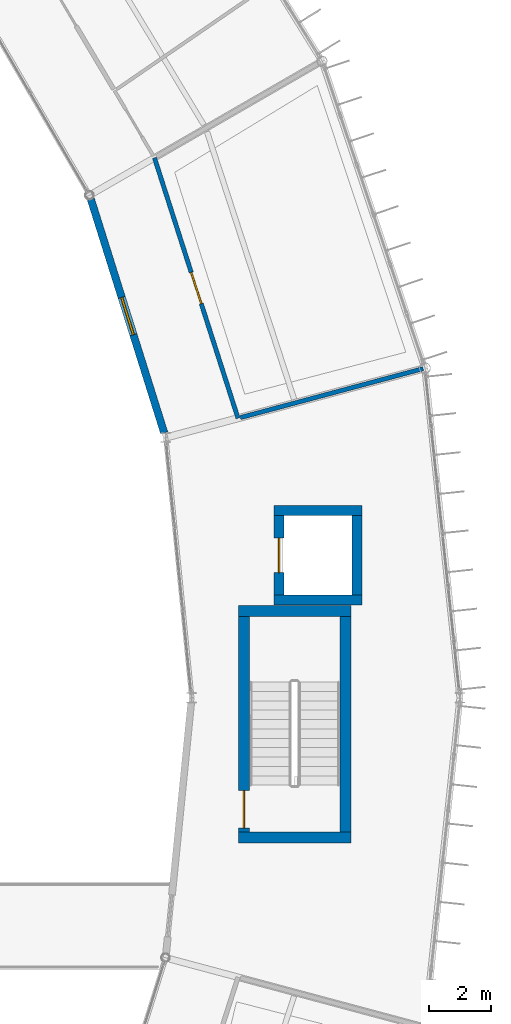
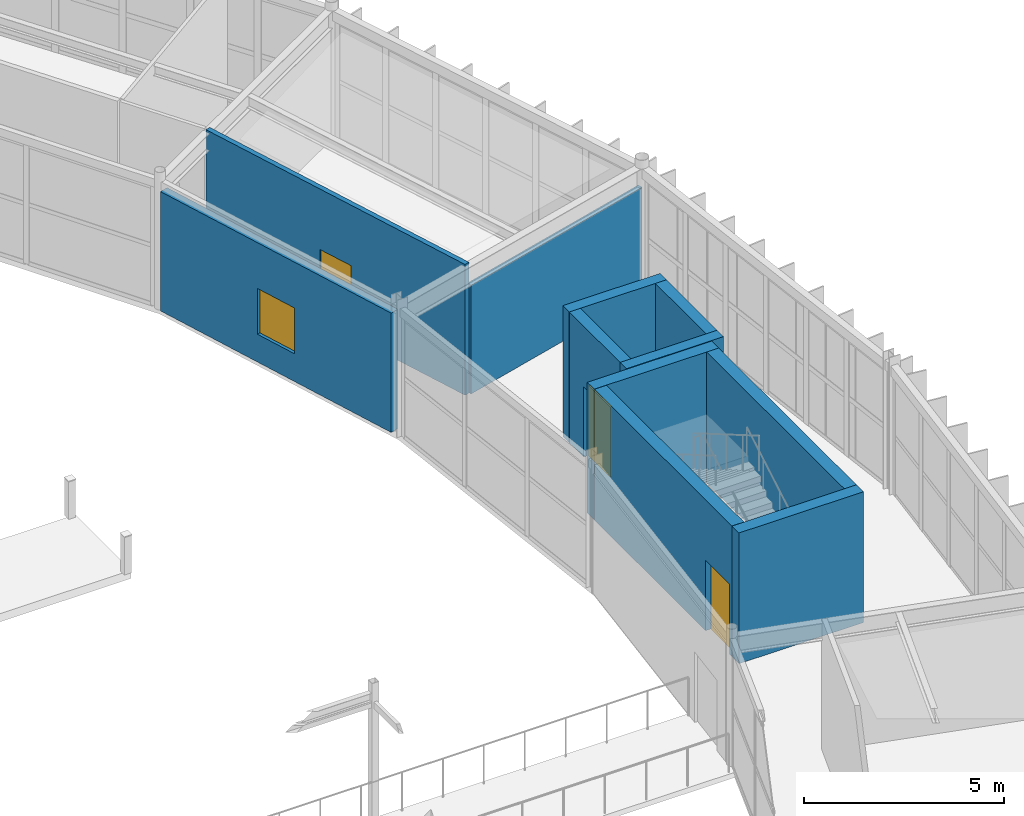
# One storey, part 126 of 147: 11 walls, 3 doors, 1 window, 4 openings.
"""IFC4 building model written with IfcOpenShell, lengths in metres."""

from ifc_helpers import new_model, si_unit, direction, frame, frame_2d, origin, place, context, subcontext, project, spatial, rectangle, extrude, material, layer, layer_set, type_object, element, fill, save


model = new_model("IFC4")

# Units and contexts
model_context = context("Model", 3, precision=1e-05, world=origin(), true_north=direction((0.0, 1.0)))
body_context = subcontext(model_context, "Body", "Model", "MODEL_VIEW")
ifc_project = project(units=[si_unit("LENGTHUNIT", "METRE"), si_unit("AREAUNIT", "SQUARE_METRE"), si_unit("VOLUMEUNIT", "CUBIC_METRE"), si_unit("PLANEANGLEUNIT", "RADIAN"), si_unit("MASSUNIT", "GRAM", prefix="KILO")], contexts=[model_context])

# Site, building, storey
site_placement = place(None, origin())
site = spatial("IfcSite", under=ifc_project, at=site_placement, CompositionType="ELEMENT")
building_placement = place(site_placement, origin())
building = spatial("IfcBuilding", under=site, at=building_placement, Name="Karori Crest Natural Sciences Institute", CompositionType="ELEMENT")
storey_placement = place(building_placement, frame((0.0, 0.0, 9.10009765625)))
storey = spatial("IfcBuildingStorey", under=building, at=storey_placement, Name="L02", CompositionType="ELEMENT", Elevation=9.10009765625)

# Walls
ifc_material_1 = material(Name="Concrete 50 MPa", Category="concrete")
ifc_layer_1 = layer(ifc_material_1, 0.35009765625, Name="Concrete 50 MPa")
ifc_layer_set_1 = layer_set([ifc_layer_1], Name="Concrete 50 MPa")
wall_type_1 = type_object("IfcWallType", Name="IWT-02", PredefinedType="SHEAR", material=ifc_layer_set_1)
for number, where, z_axis, x_axis, name in (
    (1, (92.300048828125, 45.425048828125, 0.0), (0.0, 0.0, 1.0), (1.0, 0.0, 0.0), "Shear wall IW-0013"),
    (2, (92.300048828125, 52.675048828125, 0.0), (0.0, 0.0, 1.0), (1.0, 0.0, 0.0), "Shear wall IW-0014"),
):
    element("IfcWall", number, at=place(storey_placement, frame(where, z_axis=z_axis, x_axis=x_axis)), inside=storey, type_object=wall_type_1, Name=name, PredefinedType="SHEAR", context=body_context, shape_type="SweptSolid", body=[
        extrude(rectangle(XDim=3.599853515625, YDim=0.35009765625, at=frame_2d((1.7998046875, 0.0))), origin(), (0.0, 0.0, 1.0), 4.0),
    ])

# Wall, opening, door
wall_1_placement = place(storey_placement, frame((92.47509765625, 45.60205078125, 0.0), z_axis=(0.0, 0.0, 1.0), x_axis=(0.0, 1.0, 0.0)))
wall_1 = element("IfcWall", 3, at=wall_1_placement, inside=storey, type_object=wall_type_1, Name="Shear wall IW-0015", PredefinedType="SHEAR", context=body_context, shape_type="SweptSolid", body=[
    extrude(rectangle(XDim=6.89599609375, YDim=0.35009765625, at=frame_2d((3.447998046875, 0.0))), origin(), (0.0, 0.0, 1.0), 4.0),
])
opening_1_placement = place(wall_1_placement, frame((0.1201171875, 0.0, 0.0)))
opening_1 = element("IfcOpeningElement", 4, at=opening_1_placement, cuts=wall_1, Name="Opening ID-0004", PredefinedType="OPENING", context=body_context, shape_type="SweptSolid", body=[
    extrude(rectangle(XDim=1.199951171875, YDim=2.14990234375, at=frame_2d((0.60009765625, 1.074951171875))), frame((0.0, 0.18505859375, 0.0), z_axis=(0.0, -1.0, 0.0), x_axis=(1.0, 0.0, 0.0)), (0.0, 0.0, 1.0), 0.3701171875),
])
ifc_material_2 = material(Name="Stainless steel 316 and fire-rated timber", Category="steel")
door_type_1 = type_object("IfcDoorType", Name="IDT-01", OperationType="NOTDEFINED", PredefinedType="DOOR", material=ifc_material_2)
door_1_placement = place(opening_1_placement, origin())
door_1 = element("IfcDoor", 5, at=door_1_placement, inside=storey, type_object=door_type_1, Name="Stair ST-01 fire door ID-0004", OperationType="SINGLE_SWING_RIGHT", OverallHeight=2.14990234375, OverallWidth=1.199951171875, PredefinedType="DOOR", context=body_context, shape_type="SweptSolid", body=[
    extrude(rectangle(XDim=1.199951171875, YDim=2.14990234375, at=frame_2d((0.60009765625, 1.074951171875))), frame((0.0, 0.02490234375, 0.0), z_axis=(0.0, -1.0, 0.0), x_axis=(1.0, 0.0, 0.0)), (0.0, 0.0, 1.0), 0.050048828125),
])
fill(opening_1, door_1)

# Walls
wall_2_placement = place(storey_placement, frame((95.72509765625, 45.60205078125, 0.0), z_axis=(0.0, 0.0, 1.0), x_axis=(0.0, 1.0, 0.0)))
element("IfcWall", 6, at=wall_2_placement, inside=storey, type_object=wall_type_1, Name="Shear wall IW-0016", PredefinedType="SHEAR", context=body_context, shape_type="SweptSolid", body=[
    extrude(rectangle(XDim=6.89599609375, YDim=0.35009765625, at=frame_2d((3.447998046875, 0.0))), origin(), (0.0, 0.0, 1.0), 4.0),
])
ifc_layer_2 = layer(ifc_material_1, 0.320068359375, Name="Concrete 50 MPa")
ifc_layer_set_2 = layer_set([ifc_layer_2], Name="Concrete 50 MPa")
wall_type_2 = type_object("IfcWallType", Name="IWT-03", PredefinedType="SHEAR", material=ifc_layer_set_2)
for number, where, z_axis, x_axis, name in (
    (7, (93.445068359375, 53.030029296875, 0.0), (0.0, 0.0, 1.0), (1.0, 0.0, 0.0), "Shear wall IW-0413"),
    (8, (93.445068359375, 55.89501953125, 0.0), (0.0, 0.0, 1.0), (1.0, 0.0, 0.0), "Shear wall IW-0414"),
):
    element("IfcWall", number, at=place(storey_placement, frame(where, z_axis=z_axis, x_axis=x_axis)), inside=storey, type_object=wall_type_2, Name=name, PredefinedType="SHEAR", context=body_context, shape_type="SweptSolid", body=[
        extrude(rectangle(XDim=2.809814453125, YDim=0.320068359375, at=frame_2d((1.40478515625, 0.0))), origin(), (0.0, 0.0, 1.0), 4.0),
    ])

# Wall, opening, door
wall_3_placement = place(storey_placement, frame((93.60498046875, 53.19189453125, 0.0), z_axis=(0.0, 0.0, 1.0), x_axis=(0.0, 1.0, 0.0)))
wall_3 = element("IfcWall", 9, at=wall_3_placement, inside=storey, type_object=wall_type_2, Name="Shear wall IW-0415", PredefinedType="SHEAR", context=body_context, shape_type="SweptSolid", body=[
    extrude(rectangle(XDim=2.541015625, YDim=0.320068359375, at=frame_2d((1.2705078125, 0.0))), origin(), (0.0, 0.0, 1.0), 4.0),
])
opening_2_placement = place(wall_3_placement, frame((0.720458984375, 0.0, 0.0)))
opening_2 = element("IfcOpeningElement", 10, at=opening_2_placement, cuts=wall_3, Name="Opening LD-0028", PredefinedType="OPENING", context=body_context, shape_type="SweptSolid", body=[
    extrude(rectangle(XDim=1.10009765625, YDim=2.14990234375, at=frame_2d((0.550048828125, 1.074951171875))), frame((0.0, 0.169921875, 0.0), z_axis=(0.0, -1.0, 0.0), x_axis=(1.0, 0.0, 0.0)), (0.0, 0.0, 1.0), 0.340087890625),
])
door_type_2 = type_object("IfcDoorType", Name="LDT-01", OperationType="SLIDING_TO_LEFT", PredefinedType="DOOR", material=ifc_material_2)
door_2_placement = place(opening_2_placement, origin())
door_2 = element("IfcDoor", 11, at=door_2_placement, inside=storey, type_object=door_type_2, Name="Lift LP-01 landing door LD-0028", OperationType="SLIDING_TO_LEFT", OverallHeight=2.14990234375, OverallWidth=1.10009765625, PredefinedType="DOOR", context=body_context, shape_type="SweptSolid", body=[
    extrude(rectangle(XDim=1.10009765625, YDim=2.14990234375, at=frame_2d((0.550048828125, 1.074951171875))), frame((0.0, 0.02490234375, 0.0), z_axis=(0.0, -1.0, 0.0), x_axis=(1.0, 0.0, 0.0)), (0.0, 0.0, 1.0), 0.050048828125),
])
fill(opening_2, door_2)

# Wall
wall_4_placement = place(storey_placement, frame((96.094970703125, 53.19189453125, 0.0), z_axis=(0.0, 0.0, 1.0), x_axis=(0.0, 1.0, 0.0)))
element("IfcWall", 12, at=wall_4_placement, inside=storey, type_object=wall_type_2, Name="Shear wall IW-0416", PredefinedType="SHEAR", context=body_context, shape_type="SweptSolid", body=[
    extrude(rectangle(XDim=2.541015625, YDim=0.320068359375, at=frame_2d((1.2705078125, 0.0))), origin(), (0.0, 0.0, 1.0), 4.0),
])

# Wall, opening, door
ifc_material_3 = material(Name="Laboratory acoustic drywall partition")
ifc_layer_3 = layer(ifc_material_3, 0.139892578125, Name="Laboratory acoustic drywall partition")
ifc_layer_set_3 = layer_set([ifc_layer_3], Name="Laboratory acoustic drywall partition")
wall_type_3 = type_object("IfcWallType", Name="IWT-07", PredefinedType="PARTITIONING", material=ifc_layer_set_3)
wall_5_placement = place(storey_placement, frame((92.286865234375, 58.85498046875, 0.0), z_axis=(0.0, 0.0, 1.0), x_axis=(-0.30548522006, 0.952196818061, 0.0)))
wall_5 = element("IfcWall", 13, at=wall_5_placement, inside=storey, type_object=wall_type_3, Name="Partition wall IW-1249", PredefinedType="PARTITIONING", context=body_context, shape_type="SweptSolid", body=[
    extrude(rectangle(XDim=8.763916015625, YDim=0.139892578125, at=frame_2d((4.3818359375, 0.0))), origin(), (0.0, 0.0, 1.0), 4.0),
])
opening_3_placement = place(wall_5_placement, frame((3.85693359375, 0.0, 0.0)))
opening_3 = element("IfcOpeningElement", 14, at=opening_3_placement, cuts=wall_5, Name="Opening ID-0383", PredefinedType="OPENING", context=body_context, shape_type="SweptSolid", body=[
    extrude(rectangle(XDim=1.050048828125, YDim=2.14990234375, at=frame_2d((0.52490234375, 1.074951171875))), frame((0.0, 0.080078125, 0.0), z_axis=(0.0, -1.0, 0.0), x_axis=(1.0, 0.0, 0.0)), (0.0, 0.0, 1.0), 0.159912109375),
])
door_type_3 = type_object("IfcDoorType", Name="IDT-03", OperationType="NOTDEFINED", PredefinedType="DOOR", material=ifc_material_2)
door_3_placement = place(opening_3_placement, origin())
door_3 = element("IfcDoor", 15, at=door_3_placement, inside=storey, type_object=door_type_3, Name="Wet Biology Laboratory door ID-0383", OperationType="SINGLE_SWING_LEFT", OverallHeight=2.14990234375, OverallWidth=1.050048828125, PredefinedType="DOOR", context=body_context, shape_type="SweptSolid", body=[
    extrude(rectangle(XDim=1.050048828125, YDim=2.14990234375, at=frame_2d((0.52490234375, 1.074951171875))), frame((0.0, 0.02490234375, 0.0), z_axis=(0.0, -1.0, 0.0), x_axis=(1.0, 0.0, 0.0)), (0.0, 0.0, 1.0), 0.050048828125),
])
fill(opening_3, door_3)

# Wall
wall_6_placement = place(storey_placement, frame((92.364013671875, 58.875732421875, 0.0), z_axis=(0.0, 0.0, 1.0), x_axis=(0.96591927772, 0.258843483457, 0.0)))
element("IfcWall", 16, at=wall_6_placement, inside=storey, type_object=wall_type_3, Name="Partition wall IW-1250", PredefinedType="PARTITIONING", context=body_context, shape_type="SweptSolid", body=[
    extrude(rectangle(XDim=6.06005859375, YDim=0.139892578125, at=frame_2d((3.030029296875, 0.0))), origin(), (0.0, 0.0, 1.0), 3.322998046875),
])

# Wall, opening, window
ifc_material_4 = material(Name="Precast concrete 40 MPa", Category="concrete")
ifc_layer_4 = layer(ifc_material_4, 0.239990234375, Name="Precast concrete 40 MPa")
ifc_layer_set_4 = layer_set([ifc_layer_4], Name="Precast concrete 40 MPa")
wall_type_4 = type_object("IfcWallType", Name="WT-04", PredefinedType="SOLIDWALL", material=ifc_layer_set_4)
wall_7_placement = place(storey_placement, frame((89.9208984375, 58.385986328125, 0.0), z_axis=(0.0, 0.0, 1.0), x_axis=(-0.299477830639, 0.954103259064, 0.0)))
wall_7 = element("IfcWall", 17, at=wall_7_placement, inside=storey, type_object=wall_type_4, Name="Exterior wall EW-0051", PredefinedType="SOLIDWALL", context=body_context, shape_type="SweptSolid", body=[
    extrude(rectangle(XDim=7.845703125, YDim=0.239990234375, at=frame_2d((3.9228515625, 0.0))), origin(), (0.0, 0.0, 1.0), 3.64990234375),
])
opening_4_placement = place(wall_7_placement, frame((3.2978515625, 0.0, 0.85009765625)))
opening_4 = element("IfcOpeningElement", 18, at=opening_4_placement, cuts=wall_7, Name="Opening WN-0015", PredefinedType="OPENING", context=body_context, shape_type="SweptSolid", body=[
    extrude(rectangle(XDim=1.25, YDim=1.39990234375, at=frame_2d((0.625, 0.699951171875))), frame((0.0, 0.1298828125, 0.0), z_axis=(0.0, -1.0, 0.0), x_axis=(1.0, 0.0, 0.0)), (0.0, 0.0, 1.0), 0.260009765625),
])
ifc_material_5 = material(Name="Double low-E laminated glass", Category="glass")
window_type = type_object("IfcWindowType", Name="WNT-02", PartitioningType="SINGLE_PANEL", PredefinedType="WINDOW", material=ifc_material_5)
window_placement = place(opening_4_placement, origin())
window = element("IfcWindow", 19, at=window_placement, inside=storey, type_object=window_type, Name="Window WN-0015", OverallHeight=1.39990234375, OverallWidth=1.25, PartitioningType="SINGLE_PANEL", PredefinedType="WINDOW", context=body_context, shape_type="SweptSolid", body=[
    extrude(rectangle(XDim=1.25, YDim=1.39990234375, at=frame_2d((0.625, 0.699951171875))), frame((0.0, 0.030029296875, 0.0), z_axis=(0.0, -1.0, 0.0), x_axis=(1.0, 0.0, 0.0)), (0.0, 0.0, 1.0), 0.06005859375),
])
fill(opening_4, window)

save(model, "model.ifc")
